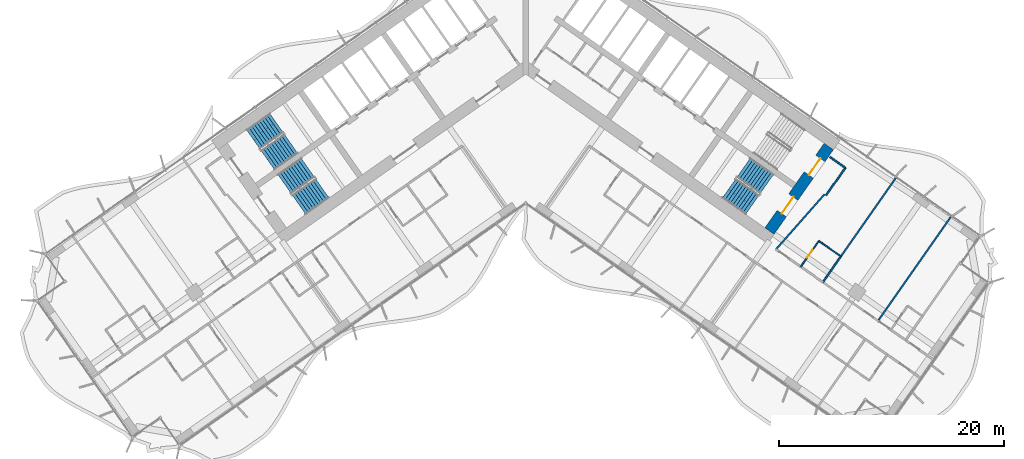
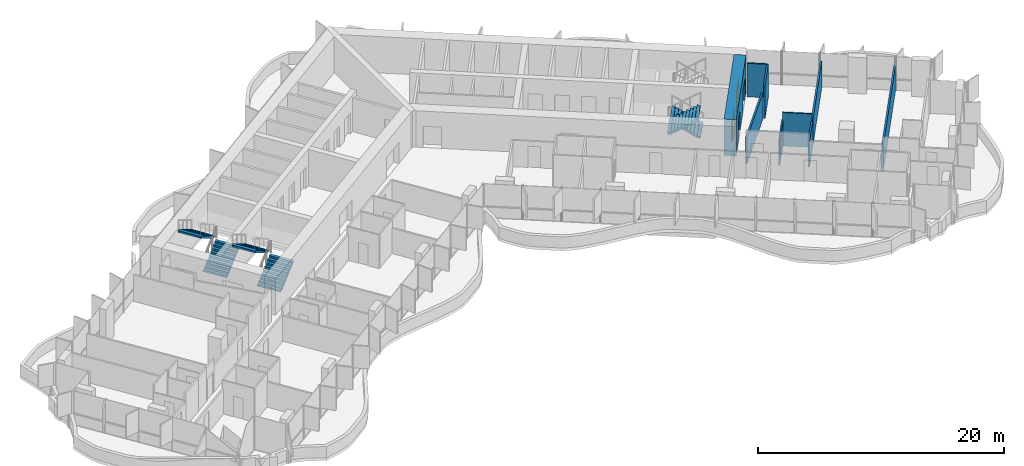
# One storey, part 16 of 23: 9 walls, 6 stair flights, 3 doors, 3 openings, 3 elements without a shape of their own.
"""IFC4 building model written with IfcOpenShell, lengths in metres."""

from ifc_helpers import new_model, si_unit, direction, frame, frame_2d, origin, place, context, subcontext, project, spatial, polyline, rectangle, outline, extrude, material, layer, layer_set, type_object, element, fill, aggregate, save


model = new_model("IFC4")

# Units and contexts
model_context = context("Model", 3, precision=1e-05, world=origin(), true_north=direction((0.0, 1.0)))
body_context = subcontext(model_context, "Body", "Model", "MODEL_VIEW")
ifc_project = project(units=[si_unit("LENGTHUNIT", "METRE"), si_unit("AREAUNIT", "SQUARE_METRE"), si_unit("VOLUMEUNIT", "CUBIC_METRE"), si_unit("PLANEANGLEUNIT", "RADIAN"), si_unit("MASSUNIT", "GRAM", prefix="KILO")], contexts=[model_context])

# Site, building, storey
site_placement = place(None, origin())
site = spatial("IfcSite", under=ifc_project, at=site_placement, CompositionType="ELEMENT")
building_placement = place(site_placement, origin())
building = spatial("IfcBuilding", under=site, at=building_placement, Name="Tel Ilan Convention Tower", CompositionType="ELEMENT")
storey_placement = place(building_placement, frame((0.0, 0.0, 86.89990234375)))
storey = spatial("IfcBuildingStorey", under=building, at=storey_placement, Name="L17", CompositionType="ELEMENT", Elevation=86.89990234375)

# Wall, openings, doors
ifc_material_1 = material(Name="Concrete C60/75", Category="concrete")
ifc_layer_1 = layer(ifc_material_1, 1.0)
ifc_layer_set_1 = layer_set([ifc_layer_1], Name="Core Shear Wall 1000 mm C60/75")
wall_type_1 = type_object("IfcWallType", Name="Core Shear Wall 1000 mm C60/75", PredefinedType="SHEAR", material=ifc_layer_set_1)
wall_1_placement = place(storey_placement, frame((21.70751953125, -15.19970703125, 0.0), z_axis=(0.0, 0.0, 1.0), x_axis=(0.573576324356, 0.819152122709, 0.0)))
wall_1 = element("IfcWall", 1, at=wall_1_placement, inside=storey, type_object=wall_type_1, Name="L17 core wall E-end", PredefinedType="SHEAR", context=body_context, shape_type="SweptSolid", body=[
    extrude(outline(polyline([(9.199951171875, 0.5), (0.0, 0.5), (0.0, -0.5), (9.199951171875, -0.5), (9.199951171875, 0.5)])), origin(), (0.0, 0.0, 1.0), 3.60009765625),
])
opening_1_placement = place(wall_1_placement, frame((6.10009765625, 0.0, 0.0)))
opening_1 = element("IfcOpeningElement", 2, at=opening_1_placement, cuts=wall_1, Name="Opening SD1503", PredefinedType="OPENING", context=body_context, shape_type="SweptSolid", body=[
    extrude(rectangle(XDim=1.800048828125, YDim=2.10009765625, at=frame_2d((0.89990234375, 1.050048828125))), frame((0.0, 0.510009765625, 0.0), z_axis=(0.0, -1.0, 0.0), x_axis=(1.0, 0.0, 0.0)), (0.0, 0.0, 1.0), 1.02001953125),
])
opening_2_placement = place(wall_1_placement, frame((1.89990234375, 0.0, 0.0)))
opening_2 = element("IfcOpeningElement", 3, at=opening_2_placement, cuts=wall_1, Name="Opening SD1504", PredefinedType="OPENING", context=body_context, shape_type="SweptSolid", body=[
    extrude(rectangle(XDim=1.800048828125, YDim=2.10009765625, at=frame_2d((0.89990234375, 1.050048828125))), frame((0.0, 0.510009765625, 0.0), z_axis=(0.0, -1.0, 0.0), x_axis=(1.0, 0.0, 0.0)), (0.0, 0.0, 1.0), 1.02001953125),
])
ifc_material_2 = material(Name="Galvanised Steel Door Leaf", Category="steel")
door_type_1 = type_object("IfcDoorType", Name="Stair Fire Door 1800 x 2100 FD60S", OperationType="NOTDEFINED", PredefinedType="DOOR", material=ifc_material_2)
door_1_placement = place(opening_1_placement, origin())
door_1 = element("IfcDoor", 4, at=door_1_placement, inside=storey, type_object=door_type_1, Name="Stair S3 door", OperationType="DOUBLE_DOOR_SINGLE_SWING", OverallHeight=2.10009765625, OverallWidth=1.800048828125, PredefinedType="DOOR", context=body_context, shape_type="SweptSolid", body=[
    extrude(rectangle(XDim=1.800048828125, YDim=2.10009765625, at=frame_2d((0.89990234375, 1.050048828125))), frame((0.0, 0.02490234375, 0.0), z_axis=(0.0, -1.0, 0.0), x_axis=(1.0, 0.0, 0.0)), (0.0, 0.0, 1.0), 0.050048828125),
])
fill(opening_1, door_1)
door_2_placement = place(opening_2_placement, origin())
door_2 = element("IfcDoor", 5, at=door_2_placement, inside=storey, type_object=door_type_1, Name="Stair S4 door", OperationType="DOUBLE_DOOR_SINGLE_SWING", OverallHeight=2.10009765625, OverallWidth=1.800048828125, PredefinedType="DOOR", context=body_context, shape_type="SweptSolid", body=[
    extrude(rectangle(XDim=1.800048828125, YDim=2.10009765625, at=frame_2d((0.89990234375, 1.050048828125))), frame((0.0, 0.02490234375, 0.0), z_axis=(0.0, -1.0, 0.0), x_axis=(1.0, 0.0, 0.0)), (0.0, 0.0, 1.0), 0.050048828125),
])
fill(opening_2, door_2)

# Walls
ifc_material_3 = material(Name="Plasterboard on Steel Studs", Category="steel")
ifc_layer_2 = layer(ifc_material_3, 0.14990234375)
ifc_layer_set_2 = layer_set([ifc_layer_2], Name="Fire-rated Partition 150 EI 60")
wall_type_2 = type_object("IfcWallType", Name="Fire-rated Partition 150 EI 60", PredefinedType="PARTITIONING", material=ifc_layer_set_2)
wall_2_placement = place(storey_placement, frame((32.93994140625, -10.49072265625, 0.0), z_axis=(0.0, 0.0, 1.0), x_axis=(-0.573593433868, -0.819140142237, 0.0)))
element("IfcWall", 6, at=wall_2_placement, inside=storey, type_object=wall_type_2, Name="Partition 038", PredefinedType="PARTITIONING", context=body_context, shape_type="SweptSolid", body=[
    extrude(rectangle(XDim=8.4990234375, YDim=0.14990234375, at=frame_2d((4.24951171875, 0.0))), origin(), (0.0, 0.0, 1.0), 2.60009765625),
])
wall_3_placement = place(storey_placement, frame((22.285400390625, -16.8251953125, 0.0), z_axis=(0.0, 0.0, 1.0), x_axis=(0.661551268245, 0.749899939647, 0.0)))
element("IfcWall", 7, at=wall_3_placement, inside=storey, type_object=wall_type_2, Name="Partition 039", PredefinedType="PARTITIONING", context=body_context, shape_type="SweptSolid", body=[
    extrude(rectangle(XDim=6.541015625, YDim=0.14990234375, at=frame_2d((3.2705078125, 0.0))), origin(), (0.0, 0.0, 1.0), 2.60009765625),
])
wall_4_placement = place(storey_placement, frame((26.74609375, -12.013671875, 0.0), z_axis=(0.0, 0.0, 1.0), x_axis=(0.573560650686, 0.819163097304, 0.0)))
element("IfcWall", 8, at=wall_4_placement, inside=storey, type_object=wall_type_2, Name="Partition 040", PredefinedType="PARTITIONING", context=body_context, shape_type="SweptSolid", body=[
    extrude(rectangle(XDim=3.0, YDim=0.14990234375, at=frame_2d((1.5, 0.0))), origin(), (0.0, 0.0, 1.0), 3.320068359375),
])
wall_5_placement = place(storey_placement, frame((28.466796875, -9.55615234375, 0.0), z_axis=(0.0, 0.0, 1.0), x_axis=(-0.819109000826, 0.573637903879, 0.0)))
element("IfcWall", 9, at=wall_5_placement, inside=storey, type_object=wall_type_2, Name="Partition 041", PredefinedType="PARTITIONING", context=body_context, shape_type="SweptSolid", body=[
    extrude(rectangle(XDim=1.679931640625, YDim=0.14990234375, at=frame_2d((0.83984375, 0.0))), origin(), (0.0, 0.0, 1.0), 3.320068359375),
])
wall_6_placement = place(storey_placement, frame((28.064453125, -17.45361328125, 0.0), z_axis=(0.0, 0.0, 1.0), x_axis=(-0.573550118428, -0.819170471667, 0.0)))
element("IfcWall", 10, at=wall_6_placement, inside=storey, type_object=wall_type_2, Name="Partition 042", PredefinedType="PARTITIONING", context=body_context, shape_type="SweptSolid", body=[
    extrude(rectangle(XDim=2.800048828125, YDim=0.14990234375, at=frame_2d((1.39990234375, 0.0))), origin(), (0.0, 0.0, 1.0), 2.60009765625),
])
wall_7_placement = place(storey_placement, frame((37.854736328125, -13.93212890625, 0.0), z_axis=(0.0, 0.0, 1.0), x_axis=(-0.573571089604, -0.819155788095, 0.0)))
element("IfcWall", 11, at=wall_7_placement, inside=storey, type_object=wall_type_2, Name="Partition 043", PredefinedType="PARTITIONING", context=body_context, shape_type="SweptSolid", body=[
    extrude(rectangle(XDim=11.300048828125, YDim=0.14990234375, at=frame_2d((5.64990234375, 0.0))), origin(), (0.0, 0.0, 1.0), 2.5),
])

# Wall, opening, door
ifc_material_4 = material(Name="Plasterboard on Steel Studs", Category="steel")
ifc_layer_3 = layer(ifc_material_4, 0.1201171875)
ifc_layer_set_3 = layer_set([ifc_layer_3], Name="Moisture-resistant Partition 120")
wall_type_3 = type_object("IfcWallType", Name="Moisture-resistant Partition 120", PredefinedType="PARTITIONING", material=ifc_layer_set_3)
wall_8_placement = place(storey_placement, frame((26.09765625, -16.076416015625, 0.0), z_axis=(0.0, 0.0, 1.0), x_axis=(-0.573550118428, -0.819170471667, 0.0)))
wall_8 = element("IfcWall", 12, at=wall_8_placement, inside=storey, type_object=wall_type_3, Name="Partition 036", PredefinedType="PARTITIONING", context=body_context, shape_type="SweptSolid", body=[
    extrude(rectangle(XDim=2.800048828125, YDim=0.1201171875, at=frame_2d((1.39990234375, 0.0))), origin(), (0.0, 0.0, 1.0), 2.60009765625),
])
opening_3_placement = place(wall_8_placement, frame((0.97509765625, 0.0, 0.0)))
opening_3 = element("IfcOpeningElement", 13, at=opening_3_placement, cuts=wall_8, Name="Opening L15-030", PredefinedType="OPENING", context=body_context, shape_type="SweptSolid", body=[
    extrude(rectangle(XDim=0.85009765625, YDim=2.050048828125, at=frame_2d((0.425048828125, 1.02490234375))), frame((0.0, 0.070068359375, 0.0), z_axis=(0.0, -1.0, 0.0), x_axis=(1.0, 0.0, 0.0)), (0.0, 0.0, 1.0), 0.14013671875),
])
ifc_material_5 = material(Name="Timber Door Leaf in Steel Frame", Category="steel")
door_type_2 = type_object("IfcDoorType", Name="Bathroom Timber Door 850x2050", OperationType="NOTDEFINED", PredefinedType="DOOR", material=ifc_material_5)
door_3_placement = place(opening_3_placement, origin())
door_3 = element("IfcDoor", 14, at=door_3_placement, inside=storey, type_object=door_type_2, Name="Door L15-030", OperationType="SINGLE_SWING_RIGHT", OverallHeight=2.050048828125, OverallWidth=0.85009765625, PredefinedType="DOOR", context=body_context, shape_type="SweptSolid", body=[
    extrude(rectangle(XDim=0.85009765625, YDim=2.050048828125, at=frame_2d((0.425048828125, 1.02490234375))), frame((0.0, 0.02490234375, 0.0), z_axis=(0.0, -1.0, 0.0), x_axis=(1.0, 0.0, 0.0)), (0.0, 0.0, 1.0), 0.050048828125),
])
fill(opening_3, door_3)

# Wall
wall_9_placement = place(storey_placement, frame((28.06494140625, -17.45263671875, 0.0), z_axis=(0.0, 0.0, 1.0), x_axis=(-0.819155442668, 0.573571582932, 0.0)))
element("IfcWall", 15, at=wall_9_placement, inside=storey, type_object=wall_type_3, Name="Partition 037", PredefinedType="PARTITIONING", context=body_context, shape_type="SweptSolid", body=[
    extrude(rectangle(XDim=2.39990234375, YDim=0.1201171875, at=frame_2d((1.199951171875, 0.0))), origin(), (0.0, 0.0, 1.0), 3.320068359375),
])

# Stair, stair flights
ifc_material_6 = material(Name="Concrete C40/50", Category="concrete")
stair_type = type_object("IfcStairType", Name="Pressurised Exit Stair 20 risers 180 mm", PredefinedType="HALF_TURN_STAIR", material=ifc_material_6)
stair_1_placement = place(storey_placement, origin())
stair_1 = element("IfcStair", 16, at=stair_1_placement, inside=storey, type_object=stair_type, Name="L17 Pressurised Stair S1", PredefinedType="HALF_TURN_STAIR")
ifc_material_7 = material(Name="Precast Concrete C40/50", Category="concrete")
stair_flight_type = type_object("IfcStairFlightType", Name="Concrete Stair Flight 2100 mm 20 risers 180 mm", PredefinedType="STRAIGHT", material=ifc_material_7)
stair_flight_1_placement = place(storey_placement, frame((-22.9619140625, -8.87548828125, 0.0), z_axis=(0.0, 0.0, 1.0), x_axis=(0.819152044289, 0.573576436351, 0.0)))
stair_flight_1 = element("IfcStairFlight", 17, at=stair_flight_1_placement, type_object=stair_flight_type, Name="S1 flight 1", NumberOfRisers=10, NumberOfTreads=9, PredefinedType="STRAIGHT", RiserHeight=0.18, TreadLength=0.28, context=body_context, shape_type="SweptSolid", body=[
    extrude(outline(polyline([(0.0, 0.0), (0.0, 0.179931640625), (0.280029296875, 0.179931640625), (0.280029296875, 0.360107421875), (0.56005859375, 0.360107421875), (0.56005859375, 0.5400390625), (0.840087890625, 0.5400390625), (0.840087890625, 0.719970703125), (1.1201171875, 0.719970703125), (1.1201171875, 0.89990234375), (1.39990234375, 0.89990234375), (1.39990234375, 1.080078125), (1.679931640625, 1.080078125), (1.679931640625, 1.260009765625), (1.9599609375, 1.260009765625), (1.9599609375, 1.43994140625), (2.239990234375, 1.43994140625), (2.239990234375, 1.6201171875), (2.52001953125, 1.6201171875), (2.52001953125, 1.800048828125), (2.52001953125, 1.44189453125), (0.277099609375, 0.0), (0.0, 0.0)])), frame((0.0, -0.100341796875, 0.0), z_axis=(0.0, -1.0, 0.0), x_axis=(1.0, 0.0, 0.0)), (0.0, 0.0, 1.0), 0.94970703125),
    extrude(outline(polyline([(0.0, 0.0), (0.0, 0.179931640625), (0.280029296875, 0.179931640625), (0.280029296875, 0.360107421875), (0.56005859375, 0.360107421875), (0.56005859375, 0.5400390625), (0.840087890625, 0.5400390625), (0.840087890625, 0.719970703125), (1.1201171875, 0.719970703125), (1.1201171875, 0.89990234375), (1.39990234375, 0.89990234375), (1.39990234375, 1.080078125), (1.679931640625, 1.080078125), (1.679931640625, 1.260009765625), (1.9599609375, 1.260009765625), (1.9599609375, 1.43994140625), (2.239990234375, 1.43994140625), (2.239990234375, 1.6201171875), (2.52001953125, 1.6201171875), (2.52001953125, 1.800048828125), (2.52001953125, 1.44189453125), (0.277099609375, 0.0), (0.0, 0.0)])), frame((0.0, -0.000244140625, 0.0), z_axis=(0.0, -1.0, 0.0), x_axis=(1.0, 0.0, 0.0)), (0.0, 0.0, 1.0), 0.099609375),
    extrude(outline(polyline([(0.0, 0.0), (0.0, 0.179931640625), (0.280029296875, 0.179931640625), (0.280029296875, 0.360107421875), (0.56005859375, 0.360107421875), (0.56005859375, 0.5400390625), (0.840087890625, 0.5400390625), (0.840087890625, 0.719970703125), (1.1201171875, 0.719970703125), (1.1201171875, 0.89990234375), (1.39990234375, 0.89990234375), (1.39990234375, 1.080078125), (1.679931640625, 1.080078125), (1.679931640625, 1.260009765625), (1.9599609375, 1.260009765625), (1.9599609375, 1.43994140625), (2.239990234375, 1.43994140625), (2.239990234375, 1.6201171875), (2.52001953125, 1.6201171875), (2.52001953125, 1.800048828125), (2.52001953125, 1.44189453125), (0.277099609375, 0.0), (0.0, 0.0)])), frame((0.0, 0.099853515625, 0.0), z_axis=(0.0, -1.0, 0.0), x_axis=(1.0, 0.0, 0.0)), (0.0, 0.0, 1.0), 0.099609375),
    extrude(outline(polyline([(0.0, 0.0), (0.0, 0.179931640625), (0.280029296875, 0.179931640625), (0.280029296875, 0.360107421875), (0.56005859375, 0.360107421875), (0.56005859375, 0.5400390625), (0.840087890625, 0.5400390625), (0.840087890625, 0.719970703125), (1.1201171875, 0.719970703125), (1.1201171875, 0.89990234375), (1.39990234375, 0.89990234375), (1.39990234375, 1.080078125), (1.679931640625, 1.080078125), (1.679931640625, 1.260009765625), (1.9599609375, 1.260009765625), (1.9599609375, 1.43994140625), (2.239990234375, 1.43994140625), (2.239990234375, 1.6201171875), (2.52001953125, 1.6201171875), (2.52001953125, 1.800048828125), (2.52001953125, 1.44189453125), (0.277099609375, 0.0), (0.0, 0.0)])), frame((0.0, 1.050048828125, 0.0), z_axis=(0.0, -1.0, 0.0), x_axis=(1.0, 0.0, 0.0)), (0.0, 0.0, 1.0), 0.94970703125),
])
stair_flight_2_placement = place(storey_placement, frame((-22.188232421875, -5.5869140625, 1.800048828125), z_axis=(0.0, 0.0, 1.0), x_axis=(-0.819152044289, -0.573576436351, 0.0)))
stair_flight_2 = element("IfcStairFlight", 18, at=stair_flight_2_placement, type_object=stair_flight_type, Name="S1 flight 2", NumberOfRisers=10, NumberOfTreads=9, PredefinedType="STRAIGHT", RiserHeight=0.18, TreadLength=0.28, context=body_context, shape_type="SweptSolid", body=[
    extrude(outline(polyline([(0.0, 0.0), (0.0, 0.179931640625), (0.280029296875, 0.179931640625), (0.280029296875, 0.360107421875), (0.56005859375, 0.360107421875), (0.56005859375, 0.5400390625), (0.840087890625, 0.5400390625), (0.840087890625, 0.719970703125), (1.1201171875, 0.719970703125), (1.1201171875, 0.89990234375), (1.39990234375, 0.89990234375), (1.39990234375, 1.080078125), (1.679931640625, 1.080078125), (1.679931640625, 1.260009765625), (1.9599609375, 1.260009765625), (1.9599609375, 1.43994140625), (2.239990234375, 1.43994140625), (2.239990234375, 1.6201171875), (2.52001953125, 1.6201171875), (2.52001953125, 1.800048828125), (2.52001953125, 1.44189453125), (0.277099609375, 0.0), (0.0, 0.0)])), frame((0.0, -0.100341796875, 0.0), z_axis=(0.0, -1.0, 0.0), x_axis=(1.0, 0.0, 0.0)), (0.0, 0.0, 1.0), 0.94970703125),
    extrude(outline(polyline([(0.0, 0.0), (0.0, 0.179931640625), (0.280029296875, 0.179931640625), (0.280029296875, 0.360107421875), (0.56005859375, 0.360107421875), (0.56005859375, 0.5400390625), (0.840087890625, 0.5400390625), (0.840087890625, 0.719970703125), (1.1201171875, 0.719970703125), (1.1201171875, 0.89990234375), (1.39990234375, 0.89990234375), (1.39990234375, 1.080078125), (1.679931640625, 1.080078125), (1.679931640625, 1.260009765625), (1.9599609375, 1.260009765625), (1.9599609375, 1.43994140625), (2.239990234375, 1.43994140625), (2.239990234375, 1.6201171875), (2.52001953125, 1.6201171875), (2.52001953125, 1.800048828125), (2.52001953125, 1.44189453125), (0.277099609375, 0.0), (0.0, 0.0)])), frame((0.0, -0.000244140625, 0.0), z_axis=(0.0, -1.0, 0.0), x_axis=(1.0, 0.0, 0.0)), (0.0, 0.0, 1.0), 0.099609375),
    extrude(outline(polyline([(0.0, 0.0), (0.0, 0.179931640625), (0.280029296875, 0.179931640625), (0.280029296875, 0.360107421875), (0.56005859375, 0.360107421875), (0.56005859375, 0.5400390625), (0.840087890625, 0.5400390625), (0.840087890625, 0.719970703125), (1.1201171875, 0.719970703125), (1.1201171875, 0.89990234375), (1.39990234375, 0.89990234375), (1.39990234375, 1.080078125), (1.679931640625, 1.080078125), (1.679931640625, 1.260009765625), (1.9599609375, 1.260009765625), (1.9599609375, 1.43994140625), (2.239990234375, 1.43994140625), (2.239990234375, 1.6201171875), (2.52001953125, 1.6201171875), (2.52001953125, 1.800048828125), (2.52001953125, 1.44189453125), (0.277099609375, 0.0), (0.0, 0.0)])), frame((0.0, 0.099853515625, 0.0), z_axis=(0.0, -1.0, 0.0), x_axis=(1.0, 0.0, 0.0)), (0.0, 0.0, 1.0), 0.099609375),
    extrude(outline(polyline([(0.0, 0.0), (0.0, 0.179931640625), (0.280029296875, 0.179931640625), (0.280029296875, 0.360107421875), (0.56005859375, 0.360107421875), (0.56005859375, 0.5400390625), (0.840087890625, 0.5400390625), (0.840087890625, 0.719970703125), (1.1201171875, 0.719970703125), (1.1201171875, 0.89990234375), (1.39990234375, 0.89990234375), (1.39990234375, 1.080078125), (1.679931640625, 1.080078125), (1.679931640625, 1.260009765625), (1.9599609375, 1.260009765625), (1.9599609375, 1.43994140625), (2.239990234375, 1.43994140625), (2.239990234375, 1.6201171875), (2.52001953125, 1.6201171875), (2.52001953125, 1.800048828125), (2.52001953125, 1.44189453125), (0.277099609375, 0.0), (0.0, 0.0)])), frame((0.0, 1.050048828125, 0.0), z_axis=(0.0, -1.0, 0.0), x_axis=(1.0, 0.0, 0.0)), (0.0, 0.0, 1.0), 0.94970703125),
])
aggregate(stair_1, [stair_flight_1, stair_flight_2])

stair_2_placement = place(storey_placement, origin())
stair_2 = element("IfcStair", 19, at=stair_2_placement, inside=storey, type_object=stair_type, Name="L17 Pressurised Stair S2", PredefinedType="HALF_TURN_STAIR")
stair_flight_3_placement = place(storey_placement, frame((-20.179931640625, -12.848388671875, 0.0), z_axis=(0.0, 0.0, 1.0), x_axis=(0.819152044289, 0.573576436351, 0.0)))
stair_flight_3 = element("IfcStairFlight", 20, at=stair_flight_3_placement, type_object=stair_flight_type, Name="S2 flight 1", NumberOfRisers=10, NumberOfTreads=9, PredefinedType="STRAIGHT", RiserHeight=0.18, TreadLength=0.28, context=body_context, shape_type="SweptSolid", body=[
    extrude(outline(polyline([(0.0, 0.0), (0.0, 0.179931640625), (0.280029296875, 0.179931640625), (0.280029296875, 0.360107421875), (0.56005859375, 0.360107421875), (0.56005859375, 0.5400390625), (0.840087890625, 0.5400390625), (0.840087890625, 0.719970703125), (1.1201171875, 0.719970703125), (1.1201171875, 0.89990234375), (1.39990234375, 0.89990234375), (1.39990234375, 1.080078125), (1.679931640625, 1.080078125), (1.679931640625, 1.260009765625), (1.9599609375, 1.260009765625), (1.9599609375, 1.43994140625), (2.239990234375, 1.43994140625), (2.239990234375, 1.6201171875), (2.52001953125, 1.6201171875), (2.52001953125, 1.800048828125), (2.52001953125, 1.44189453125), (0.277099609375, 0.0), (0.0, 0.0)])), frame((0.0, -0.100341796875, 0.0), z_axis=(0.0, -1.0, 0.0), x_axis=(1.0, 0.0, 0.0)), (0.0, 0.0, 1.0), 0.94970703125),
    extrude(outline(polyline([(0.0, 0.0), (0.0, 0.179931640625), (0.280029296875, 0.179931640625), (0.280029296875, 0.360107421875), (0.56005859375, 0.360107421875), (0.56005859375, 0.5400390625), (0.840087890625, 0.5400390625), (0.840087890625, 0.719970703125), (1.1201171875, 0.719970703125), (1.1201171875, 0.89990234375), (1.39990234375, 0.89990234375), (1.39990234375, 1.080078125), (1.679931640625, 1.080078125), (1.679931640625, 1.260009765625), (1.9599609375, 1.260009765625), (1.9599609375, 1.43994140625), (2.239990234375, 1.43994140625), (2.239990234375, 1.6201171875), (2.52001953125, 1.6201171875), (2.52001953125, 1.800048828125), (2.52001953125, 1.44189453125), (0.277099609375, 0.0), (0.0, 0.0)])), frame((0.0, -0.000244140625, 0.0), z_axis=(0.0, -1.0, 0.0), x_axis=(1.0, 0.0, 0.0)), (0.0, 0.0, 1.0), 0.099609375),
    extrude(outline(polyline([(0.0, 0.0), (0.0, 0.179931640625), (0.280029296875, 0.179931640625), (0.280029296875, 0.360107421875), (0.56005859375, 0.360107421875), (0.56005859375, 0.5400390625), (0.840087890625, 0.5400390625), (0.840087890625, 0.719970703125), (1.1201171875, 0.719970703125), (1.1201171875, 0.89990234375), (1.39990234375, 0.89990234375), (1.39990234375, 1.080078125), (1.679931640625, 1.080078125), (1.679931640625, 1.260009765625), (1.9599609375, 1.260009765625), (1.9599609375, 1.43994140625), (2.239990234375, 1.43994140625), (2.239990234375, 1.6201171875), (2.52001953125, 1.6201171875), (2.52001953125, 1.800048828125), (2.52001953125, 1.44189453125), (0.277099609375, 0.0), (0.0, 0.0)])), frame((0.0, 0.099853515625, 0.0), z_axis=(0.0, -1.0, 0.0), x_axis=(1.0, 0.0, 0.0)), (0.0, 0.0, 1.0), 0.099609375),
    extrude(outline(polyline([(0.0, 0.0), (0.0, 0.179931640625), (0.280029296875, 0.179931640625), (0.280029296875, 0.360107421875), (0.56005859375, 0.360107421875), (0.56005859375, 0.5400390625), (0.840087890625, 0.5400390625), (0.840087890625, 0.719970703125), (1.1201171875, 0.719970703125), (1.1201171875, 0.89990234375), (1.39990234375, 0.89990234375), (1.39990234375, 1.080078125), (1.679931640625, 1.080078125), (1.679931640625, 1.260009765625), (1.9599609375, 1.260009765625), (1.9599609375, 1.43994140625), (2.239990234375, 1.43994140625), (2.239990234375, 1.6201171875), (2.52001953125, 1.6201171875), (2.52001953125, 1.800048828125), (2.52001953125, 1.44189453125), (0.277099609375, 0.0), (0.0, 0.0)])), frame((0.0, 1.050048828125, 0.0), z_axis=(0.0, -1.0, 0.0), x_axis=(1.0, 0.0, 0.0)), (0.0, 0.0, 1.0), 0.94970703125),
])
stair_flight_4_placement = place(storey_placement, frame((-19.40625, -9.559814453125, 1.800048828125), z_axis=(0.0, 0.0, 1.0), x_axis=(-0.819152044289, -0.573576436351, 0.0)))
stair_flight_4 = element("IfcStairFlight", 21, at=stair_flight_4_placement, type_object=stair_flight_type, Name="S2 flight 2", NumberOfRisers=10, NumberOfTreads=9, PredefinedType="STRAIGHT", RiserHeight=0.18, TreadLength=0.28, context=body_context, shape_type="SweptSolid", body=[
    extrude(outline(polyline([(0.0, 0.0), (0.0, 0.179931640625), (0.280029296875, 0.179931640625), (0.280029296875, 0.360107421875), (0.56005859375, 0.360107421875), (0.56005859375, 0.5400390625), (0.840087890625, 0.5400390625), (0.840087890625, 0.719970703125), (1.1201171875, 0.719970703125), (1.1201171875, 0.89990234375), (1.39990234375, 0.89990234375), (1.39990234375, 1.080078125), (1.679931640625, 1.080078125), (1.679931640625, 1.260009765625), (1.9599609375, 1.260009765625), (1.9599609375, 1.43994140625), (2.239990234375, 1.43994140625), (2.239990234375, 1.6201171875), (2.52001953125, 1.6201171875), (2.52001953125, 1.800048828125), (2.52001953125, 1.44189453125), (0.277099609375, 0.0), (0.0, 0.0)])), frame((0.0, -0.100341796875, 0.0), z_axis=(0.0, -1.0, 0.0), x_axis=(1.0, 0.0, 0.0)), (0.0, 0.0, 1.0), 0.94970703125),
    extrude(outline(polyline([(0.0, 0.0), (0.0, 0.179931640625), (0.280029296875, 0.179931640625), (0.280029296875, 0.360107421875), (0.56005859375, 0.360107421875), (0.56005859375, 0.5400390625), (0.840087890625, 0.5400390625), (0.840087890625, 0.719970703125), (1.1201171875, 0.719970703125), (1.1201171875, 0.89990234375), (1.39990234375, 0.89990234375), (1.39990234375, 1.080078125), (1.679931640625, 1.080078125), (1.679931640625, 1.260009765625), (1.9599609375, 1.260009765625), (1.9599609375, 1.43994140625), (2.239990234375, 1.43994140625), (2.239990234375, 1.6201171875), (2.52001953125, 1.6201171875), (2.52001953125, 1.800048828125), (2.52001953125, 1.44189453125), (0.277099609375, 0.0), (0.0, 0.0)])), frame((0.0, -0.000244140625, 0.0), z_axis=(0.0, -1.0, 0.0), x_axis=(1.0, 0.0, 0.0)), (0.0, 0.0, 1.0), 0.099609375),
    extrude(outline(polyline([(0.0, 0.0), (0.0, 0.179931640625), (0.280029296875, 0.179931640625), (0.280029296875, 0.360107421875), (0.56005859375, 0.360107421875), (0.56005859375, 0.5400390625), (0.840087890625, 0.5400390625), (0.840087890625, 0.719970703125), (1.1201171875, 0.719970703125), (1.1201171875, 0.89990234375), (1.39990234375, 0.89990234375), (1.39990234375, 1.080078125), (1.679931640625, 1.080078125), (1.679931640625, 1.260009765625), (1.9599609375, 1.260009765625), (1.9599609375, 1.43994140625), (2.239990234375, 1.43994140625), (2.239990234375, 1.6201171875), (2.52001953125, 1.6201171875), (2.52001953125, 1.800048828125), (2.52001953125, 1.44189453125), (0.277099609375, 0.0), (0.0, 0.0)])), frame((0.0, 0.099853515625, 0.0), z_axis=(0.0, -1.0, 0.0), x_axis=(1.0, 0.0, 0.0)), (0.0, 0.0, 1.0), 0.099609375),
    extrude(outline(polyline([(0.0, 0.0), (0.0, 0.179931640625), (0.280029296875, 0.179931640625), (0.280029296875, 0.360107421875), (0.56005859375, 0.360107421875), (0.56005859375, 0.5400390625), (0.840087890625, 0.5400390625), (0.840087890625, 0.719970703125), (1.1201171875, 0.719970703125), (1.1201171875, 0.89990234375), (1.39990234375, 0.89990234375), (1.39990234375, 1.080078125), (1.679931640625, 1.080078125), (1.679931640625, 1.260009765625), (1.9599609375, 1.260009765625), (1.9599609375, 1.43994140625), (2.239990234375, 1.43994140625), (2.239990234375, 1.6201171875), (2.52001953125, 1.6201171875), (2.52001953125, 1.800048828125), (2.52001953125, 1.44189453125), (0.277099609375, 0.0), (0.0, 0.0)])), frame((0.0, 1.050048828125, 0.0), z_axis=(0.0, -1.0, 0.0), x_axis=(1.0, 0.0, 0.0)), (0.0, 0.0, 1.0), 0.94970703125),
])
aggregate(stair_2, [stair_flight_3, stair_flight_4])

stair_3_placement = place(storey_placement, origin())
stair_3 = element("IfcStair", 22, at=stair_3_placement, inside=storey, type_object=stair_type, Name="L17 Pressurised Stair S4", PredefinedType="HALF_TURN_STAIR")
stair_flight_5_placement = place(storey_placement, frame((21.470458984375, -11.00537109375, 0.0), z_axis=(0.0, 0.0, 1.0), x_axis=(-0.819152044289, 0.573576436351, 0.0)))
stair_flight_5 = element("IfcStairFlight", 23, at=stair_flight_5_placement, type_object=stair_flight_type, Name="S4 flight 1", NumberOfRisers=10, NumberOfTreads=9, PredefinedType="STRAIGHT", RiserHeight=0.18, TreadLength=0.28, context=body_context, shape_type="SweptSolid", body=[
    extrude(outline(polyline([(0.0, 0.0), (0.0, 0.179931640625), (0.280029296875, 0.179931640625), (0.280029296875, 0.360107421875), (0.56005859375, 0.360107421875), (0.56005859375, 0.5400390625), (0.840087890625, 0.5400390625), (0.840087890625, 0.719970703125), (1.1201171875, 0.719970703125), (1.1201171875, 0.89990234375), (1.39990234375, 0.89990234375), (1.39990234375, 1.080078125), (1.679931640625, 1.080078125), (1.679931640625, 1.260009765625), (1.9599609375, 1.260009765625), (1.9599609375, 1.43994140625), (2.239990234375, 1.43994140625), (2.239990234375, 1.6201171875), (2.52001953125, 1.6201171875), (2.52001953125, 1.800048828125), (2.52001953125, 1.44189453125), (0.277099609375, 0.0), (0.0, 0.0)])), frame((0.0, -0.100341796875, 0.0), z_axis=(0.0, -1.0, 0.0), x_axis=(1.0, 0.0, 0.0)), (0.0, 0.0, 1.0), 0.94970703125),
    extrude(outline(polyline([(0.0, 0.0), (0.0, 0.179931640625), (0.280029296875, 0.179931640625), (0.280029296875, 0.360107421875), (0.56005859375, 0.360107421875), (0.56005859375, 0.5400390625), (0.840087890625, 0.5400390625), (0.840087890625, 0.719970703125), (1.1201171875, 0.719970703125), (1.1201171875, 0.89990234375), (1.39990234375, 0.89990234375), (1.39990234375, 1.080078125), (1.679931640625, 1.080078125), (1.679931640625, 1.260009765625), (1.9599609375, 1.260009765625), (1.9599609375, 1.43994140625), (2.239990234375, 1.43994140625), (2.239990234375, 1.6201171875), (2.52001953125, 1.6201171875), (2.52001953125, 1.800048828125), (2.52001953125, 1.44189453125), (0.277099609375, 0.0), (0.0, 0.0)])), frame((0.0, -0.000244140625, 0.0), z_axis=(0.0, -1.0, 0.0), x_axis=(1.0, 0.0, 0.0)), (0.0, 0.0, 1.0), 0.099609375),
    extrude(outline(polyline([(0.0, 0.0), (0.0, 0.179931640625), (0.280029296875, 0.179931640625), (0.280029296875, 0.360107421875), (0.56005859375, 0.360107421875), (0.56005859375, 0.5400390625), (0.840087890625, 0.5400390625), (0.840087890625, 0.719970703125), (1.1201171875, 0.719970703125), (1.1201171875, 0.89990234375), (1.39990234375, 0.89990234375), (1.39990234375, 1.080078125), (1.679931640625, 1.080078125), (1.679931640625, 1.260009765625), (1.9599609375, 1.260009765625), (1.9599609375, 1.43994140625), (2.239990234375, 1.43994140625), (2.239990234375, 1.6201171875), (2.52001953125, 1.6201171875), (2.52001953125, 1.800048828125), (2.52001953125, 1.44189453125), (0.277099609375, 0.0), (0.0, 0.0)])), frame((0.0, 0.099853515625, 0.0), z_axis=(0.0, -1.0, 0.0), x_axis=(1.0, 0.0, 0.0)), (0.0, 0.0, 1.0), 0.099609375),
    extrude(outline(polyline([(0.0, 0.0), (0.0, 0.179931640625), (0.280029296875, 0.179931640625), (0.280029296875, 0.360107421875), (0.56005859375, 0.360107421875), (0.56005859375, 0.5400390625), (0.840087890625, 0.5400390625), (0.840087890625, 0.719970703125), (1.1201171875, 0.719970703125), (1.1201171875, 0.89990234375), (1.39990234375, 0.89990234375), (1.39990234375, 1.080078125), (1.679931640625, 1.080078125), (1.679931640625, 1.260009765625), (1.9599609375, 1.260009765625), (1.9599609375, 1.43994140625), (2.239990234375, 1.43994140625), (2.239990234375, 1.6201171875), (2.52001953125, 1.6201171875), (2.52001953125, 1.800048828125), (2.52001953125, 1.44189453125), (0.277099609375, 0.0), (0.0, 0.0)])), frame((0.0, 1.050048828125, 0.0), z_axis=(0.0, -1.0, 0.0), x_axis=(1.0, 0.0, 0.0)), (0.0, 0.0, 1.0), 0.94970703125),
])
stair_flight_6_placement = place(storey_placement, frame((18.11572265625, -11.403076171875, 1.800048828125), z_axis=(0.0, 0.0, 1.0), x_axis=(0.819152044289, -0.573576436351, 0.0)))
stair_flight_6 = element("IfcStairFlight", 24, at=stair_flight_6_placement, type_object=stair_flight_type, Name="S4 flight 2", NumberOfRisers=10, NumberOfTreads=9, PredefinedType="STRAIGHT", RiserHeight=0.18, TreadLength=0.28, context=body_context, shape_type="SweptSolid", body=[
    extrude(outline(polyline([(0.0, 0.0), (0.0, 0.179931640625), (0.280029296875, 0.179931640625), (0.280029296875, 0.360107421875), (0.56005859375, 0.360107421875), (0.56005859375, 0.5400390625), (0.840087890625, 0.5400390625), (0.840087890625, 0.719970703125), (1.1201171875, 0.719970703125), (1.1201171875, 0.89990234375), (1.39990234375, 0.89990234375), (1.39990234375, 1.080078125), (1.679931640625, 1.080078125), (1.679931640625, 1.260009765625), (1.9599609375, 1.260009765625), (1.9599609375, 1.43994140625), (2.239990234375, 1.43994140625), (2.239990234375, 1.6201171875), (2.52001953125, 1.6201171875), (2.52001953125, 1.800048828125), (2.52001953125, 1.44189453125), (0.277099609375, 0.0), (0.0, 0.0)])), frame((0.0, -0.100341796875, 0.0), z_axis=(0.0, -1.0, 0.0), x_axis=(1.0, 0.0, 0.0)), (0.0, 0.0, 1.0), 0.94970703125),
    extrude(outline(polyline([(0.0, 0.0), (0.0, 0.179931640625), (0.280029296875, 0.179931640625), (0.280029296875, 0.360107421875), (0.56005859375, 0.360107421875), (0.56005859375, 0.5400390625), (0.840087890625, 0.5400390625), (0.840087890625, 0.719970703125), (1.1201171875, 0.719970703125), (1.1201171875, 0.89990234375), (1.39990234375, 0.89990234375), (1.39990234375, 1.080078125), (1.679931640625, 1.080078125), (1.679931640625, 1.260009765625), (1.9599609375, 1.260009765625), (1.9599609375, 1.43994140625), (2.239990234375, 1.43994140625), (2.239990234375, 1.6201171875), (2.52001953125, 1.6201171875), (2.52001953125, 1.800048828125), (2.52001953125, 1.44189453125), (0.277099609375, 0.0), (0.0, 0.0)])), frame((0.0, -0.000244140625, 0.0), z_axis=(0.0, -1.0, 0.0), x_axis=(1.0, 0.0, 0.0)), (0.0, 0.0, 1.0), 0.099609375),
    extrude(outline(polyline([(0.0, 0.0), (0.0, 0.179931640625), (0.280029296875, 0.179931640625), (0.280029296875, 0.360107421875), (0.56005859375, 0.360107421875), (0.56005859375, 0.5400390625), (0.840087890625, 0.5400390625), (0.840087890625, 0.719970703125), (1.1201171875, 0.719970703125), (1.1201171875, 0.89990234375), (1.39990234375, 0.89990234375), (1.39990234375, 1.080078125), (1.679931640625, 1.080078125), (1.679931640625, 1.260009765625), (1.9599609375, 1.260009765625), (1.9599609375, 1.43994140625), (2.239990234375, 1.43994140625), (2.239990234375, 1.6201171875), (2.52001953125, 1.6201171875), (2.52001953125, 1.800048828125), (2.52001953125, 1.44189453125), (0.277099609375, 0.0), (0.0, 0.0)])), frame((0.0, 0.099853515625, 0.0), z_axis=(0.0, -1.0, 0.0), x_axis=(1.0, 0.0, 0.0)), (0.0, 0.0, 1.0), 0.099609375),
    extrude(outline(polyline([(0.0, 0.0), (0.0, 0.179931640625), (0.280029296875, 0.179931640625), (0.280029296875, 0.360107421875), (0.56005859375, 0.360107421875), (0.56005859375, 0.5400390625), (0.840087890625, 0.5400390625), (0.840087890625, 0.719970703125), (1.1201171875, 0.719970703125), (1.1201171875, 0.89990234375), (1.39990234375, 0.89990234375), (1.39990234375, 1.080078125), (1.679931640625, 1.080078125), (1.679931640625, 1.260009765625), (1.9599609375, 1.260009765625), (1.9599609375, 1.43994140625), (2.239990234375, 1.43994140625), (2.239990234375, 1.6201171875), (2.52001953125, 1.6201171875), (2.52001953125, 1.800048828125), (2.52001953125, 1.44189453125), (0.277099609375, 0.0), (0.0, 0.0)])), frame((0.0, 1.050048828125, 0.0), z_axis=(0.0, -1.0, 0.0), x_axis=(1.0, 0.0, 0.0)), (0.0, 0.0, 1.0), 0.94970703125),
])
aggregate(stair_3, [stair_flight_5, stair_flight_6])

save(model, "model.ifc")
